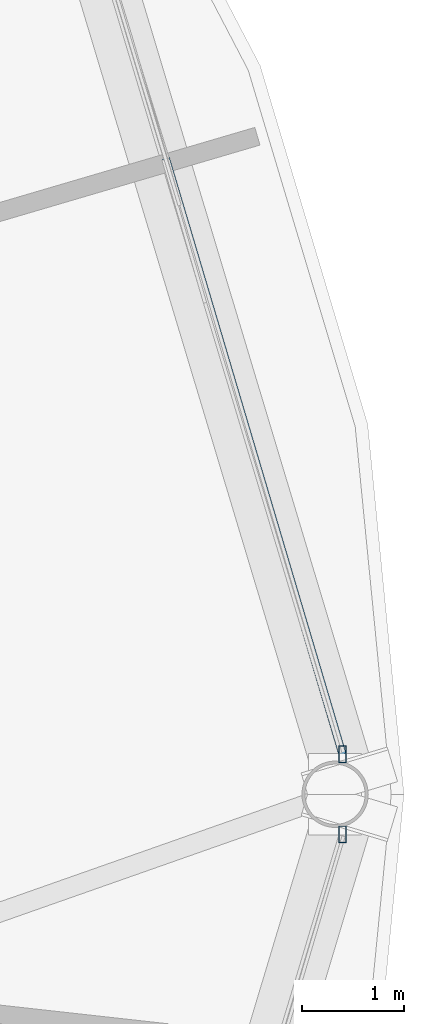
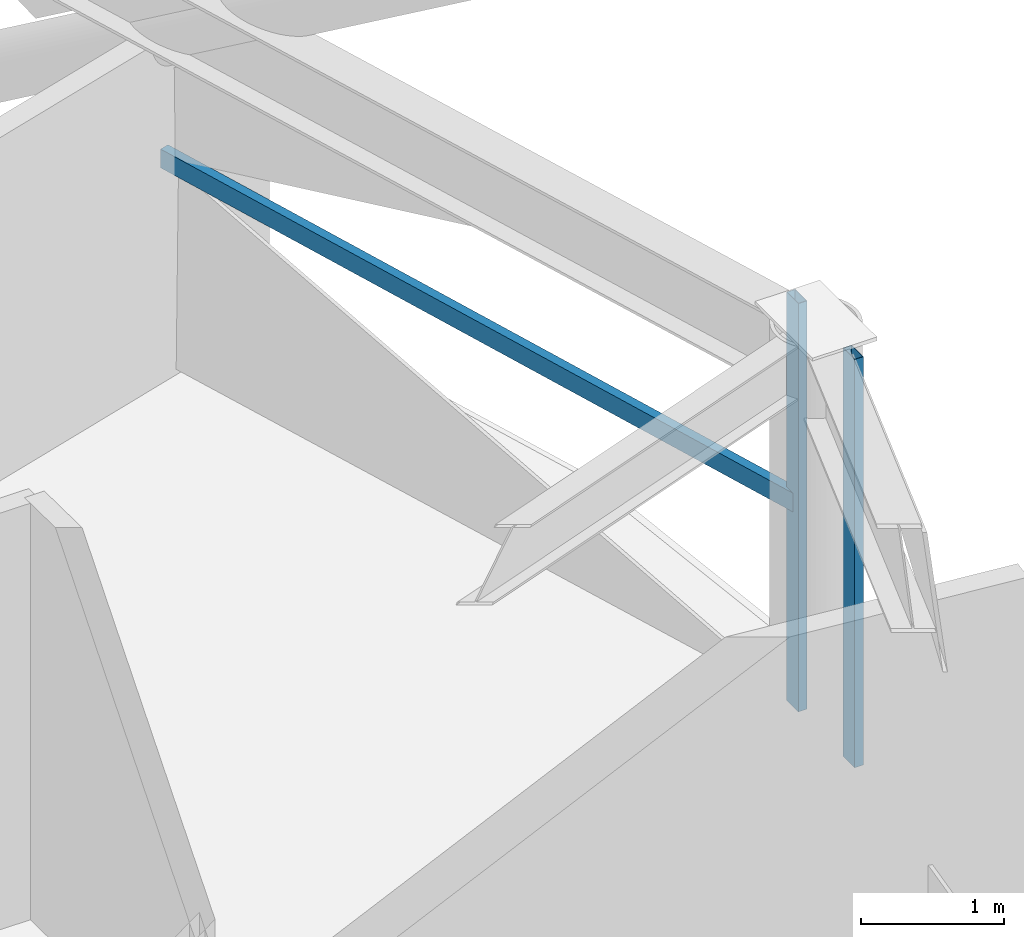
# One storey, part 14 of 30: 3 members, 2 elements without a shape of their own.
"""IFC4 building model written with IfcOpenShell, lengths in metres."""

from ifc_helpers import new_model, si_unit, direction, frame, origin, origin_2d, place, context, subcontext, project, spatial, hollow_rectangle, extrude, material, layer, layer_set, material_profile, profile_set, type_object, element, aggregate, save


model = new_model("IFC4")

# Units and contexts
model_context = context("Model", 3, precision=1e-05, world=origin(), true_north=direction((0.0, 1.0)))
body_context = subcontext(model_context, "Body", "Model", "MODEL_VIEW")
ifc_project = project(units=[si_unit("LENGTHUNIT", "METRE"), si_unit("AREAUNIT", "SQUARE_METRE"), si_unit("VOLUMEUNIT", "CUBIC_METRE"), si_unit("PLANEANGLEUNIT", "RADIAN"), si_unit("MASSUNIT", "GRAM", prefix="KILO")], contexts=[model_context])

# Site, building, storey
site_placement = place(None, origin())
site = spatial("IfcSite", under=ifc_project, at=site_placement, CompositionType="ELEMENT")
building_placement = place(site_placement, origin())
building = spatial("IfcBuilding", under=site, at=building_placement, Name="Vantalir Tower", CompositionType="ELEMENT")
storey_placement = place(building_placement, frame((0.0, 0.0, 189.89990234375)))
storey = spatial("IfcBuildingStorey", under=building, at=storey_placement, Name="L47", CompositionType="ELEMENT", Elevation=189.89990234375)

# Curtain wall, member
ifc_material_1 = material(Name="Champagne-silver PVDF aluminium and double-silver Low-E glass", Category="aluminium")
ifc_layer = layer(ifc_material_1, 0.2099609375)
ifc_layer_set = layer_set([ifc_layer], Name="Champagne-silver PVDF aluminium and double-silver Low-E glass")
curtain_wall_type = type_object("IfcCurtainWallType", Name="CW-DIAMOND-Z3", PredefinedType="USERDEFINED", material=ifc_layer_set)
curtain_wall_1_placement = place(storey_placement, origin())
curtain_wall_1 = element("IfcCurtainWall", 1, at=curtain_wall_1_placement, inside=storey, type_object=curtain_wall_type, Name="L47 Quilted Pyramid-Diamond Curtain Wall S01", ObjectType="UNITISED CURTAIN WALL", PredefinedType="USERDEFINED")
ifc_material_2 = material(Name="Champagne-silver PVDF aluminium 6063-T6", Category="aluminium")
ifc_material_profile_1 = material_profile(ifc_material_2, hollow_rectangle(XDim=0.070068359375, YDim=0.1650390625, WallThickness=0.00390625, at=origin_2d()), Name="Champagne-silver PVDF aluminium 6063-T6")
ifc_profile_set_1 = profile_set([ifc_material_profile_1], Name="Champagne-silver PVDF aluminium 6063-T6")
member_type_1 = type_object("IfcMemberType", Name="CWM-165x70", PredefinedType="MULLION", material=ifc_profile_set_1)
member_1_placement = place(storey_placement, frame((54.248046875, 25.39306640625, 0.045166015625), z_axis=(0.0, 0.0, 1.0), x_axis=(1.0, 0.0, 0.0)))
member_1 = element("IfcMember", 2, at=member_1_placement, type_object=member_type_1, Name="CW-L47-S01 Mullion 1", PredefinedType="MULLION", context=body_context, shape_type="SweptSolid", body=[
    extrude(hollow_rectangle(XDim=0.070068359375, YDim=0.1650390625, WallThickness=0.00390625, at=origin_2d()), origin(), (0.0, 0.0, 1.0), 3.47998046875),
])

curtain_wall_2_placement = place(storey_placement, origin())
curtain_wall_2 = element("IfcCurtainWall", 3, at=curtain_wall_2_placement, inside=storey, type_object=curtain_wall_type, Name="L47 Quilted Pyramid-Diamond Curtain Wall S12", ObjectType="UNITISED CURTAIN WALL", PredefinedType="USERDEFINED")
member_2_placement = place(storey_placement, frame((54.248046875, 24.60693359375, 0.045166015625), z_axis=(0.0, 0.0, 1.0), x_axis=(1.0, 0.0, 0.0)))
member_2 = element("IfcMember", 4, at=member_2_placement, type_object=member_type_1, Name="CW-L47-S12 Mullion 2", PredefinedType="MULLION", context=body_context, shape_type="SweptSolid", body=[
    extrude(hollow_rectangle(XDim=0.070068359375, YDim=0.1650390625, WallThickness=0.00390625, at=origin_2d()), origin(), (0.0, 0.0, 1.0), 3.47998046875),
])
aggregate(curtain_wall_2, [member_2])

# Member
ifc_material_profile_2 = material_profile(ifc_material_2, hollow_rectangle(XDim=0.074951171875, YDim=0.159912109375, WallThickness=0.00390625, at=origin_2d()), Name="Champagne-silver PVDF aluminium 6063-T6")
ifc_profile_set_2 = profile_set([ifc_material_profile_2], Name="Champagne-silver PVDF aluminium 6063-T6")
member_type_2 = type_object("IfcMemberType", Name="CWT-160x75", PredefinedType="USERDEFINED", material=ifc_profile_set_2)
member_3_placement = place(storey_placement, frame((54.248046875, 25.39306640625, 1.78515625), z_axis=(-0.284167522647, 0.958774644571, 0.0), x_axis=(-0.958774644571, -0.284167522647, 0.0)))
member_3 = element("IfcMember", 5, at=member_3_placement, type_object=member_type_2, Name="CW-L47-S01 Pyramid Fold Ridge Transom", ObjectType="TRANSOM", PredefinedType="USERDEFINED", context=body_context, shape_type="SweptSolid", body=[
    extrude(hollow_rectangle(XDim=0.074951171875, YDim=0.159912109375, WallThickness=0.00390625, at=origin_2d()), origin(), (0.0, 0.0, 1.0), 6.087890625),
])

aggregate(curtain_wall_1, [member_1, member_3])

save(model, "model.ifc")
